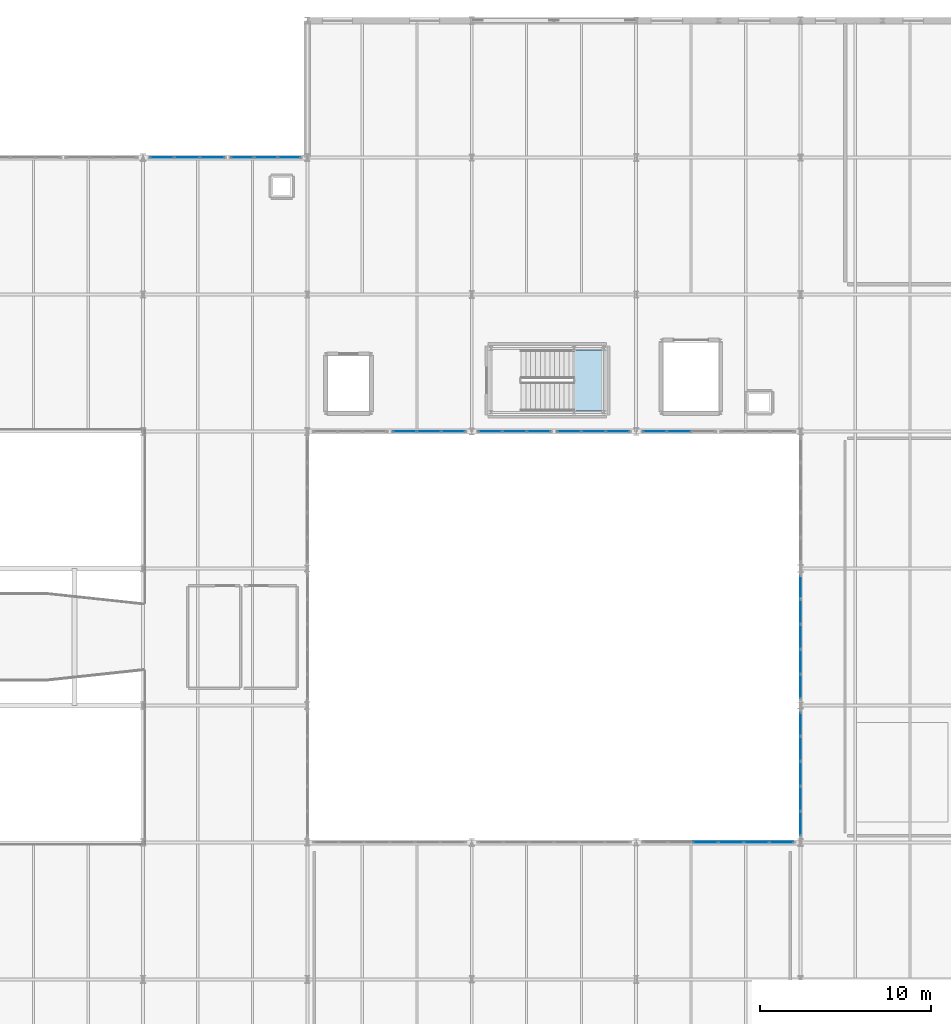
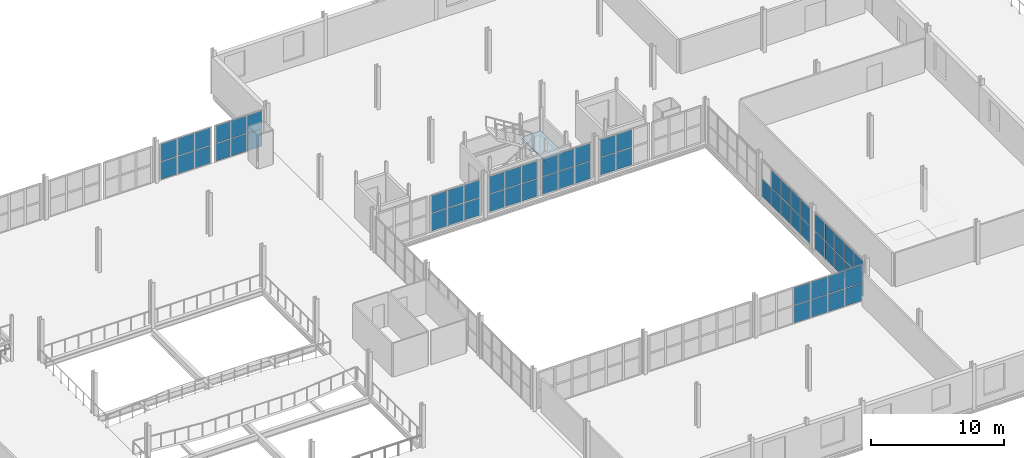
# One storey, part 62 of 85: 61 plates, 1 slab, 10 elements without a shape of their own.
"""IFC4 building model written with IfcOpenShell, lengths in metres."""

from ifc_helpers import new_model, si_unit, direction, frame, origin, origin_2d, place, context, subcontext, project, spatial, polyline, rectangle, outline, extrude, material, layer, layer_set, type_object, element, aggregate, save


model = new_model("IFC4")

# Units and contexts
model_context = context("Model", 3, precision=1e-05, world=origin(), true_north=direction((0.0, 1.0)))
body_context = subcontext(model_context, "Body", "Model", "MODEL_VIEW")
ifc_project = project(units=[si_unit("LENGTHUNIT", "METRE"), si_unit("AREAUNIT", "SQUARE_METRE"), si_unit("VOLUMEUNIT", "CUBIC_METRE"), si_unit("PLANEANGLEUNIT", "RADIAN"), si_unit("MASSUNIT", "GRAM", prefix="KILO")], contexts=[model_context])

# Site, building, storey
site_placement = place(None, origin())
site = spatial("IfcSite", under=ifc_project, at=site_placement, CompositionType="ELEMENT")
building_placement = place(site_placement, origin())
building = spatial("IfcBuilding", under=site, at=building_placement, Name="Alderhovde Museum", CompositionType="ELEMENT")
storey_placement = place(building_placement, frame((0.0, 0.0, 8.699951171875)))
storey = spatial("IfcBuildingStorey", under=building, at=storey_placement, Name="L02", CompositionType="ELEMENT", Elevation=8.699951171875)

# Curtain wall, plates
ifc_material_1 = material(Name="Triple-Glazed Bronze-Anodised Curtain Wall", Category="glass")
ifc_layer_1 = layer(ifc_material_1, 0.179931640625)
ifc_layer_set_1 = layer_set([ifc_layer_1], Name="Triple-Glazed Bronze-Anodised Curtain Wall")
curtain_wall_type_1 = type_object("IfcCurtainWallType", Name="CW-STIC-430x336", PredefinedType="USERDEFINED", material=ifc_layer_set_1)
curtain_wall_1_placement = place(storey_placement, origin())
curtain_wall_1 = element("IfcCurtainWall", 1, at=curtain_wall_1_placement, inside=storey, type_object=curtain_wall_type_1, Name="L02 Stick Curtain Wall 156", ObjectType="STICK CURTAIN WALL", PredefinedType="USERDEFINED")
ifc_material_2 = material(Name="Triple-Glazed Low-E Laminated Glass", Category="glass")
ifc_layer_2 = layer(ifc_material_2, 0.028076171875)
ifc_layer_set_2 = layer_set([ifc_layer_2], Name="Triple-Glazed Low-E Laminated Glass")
plate_type_1 = type_object("IfcPlateType", Name="CWP-GLAZ-28", PredefinedType="CURTAIN_PANEL", material=ifc_layer_set_2)
plate_1_placement = place(storey_placement, frame((120.8828125, 72.0, 0.06494140625), z_axis=(0.0, 0.0, 1.0), x_axis=(1.0, 0.0, 0.0)))
plate_1 = element("IfcPlate", 2, at=plate_1_placement, type_object=plate_type_1, Name="CW37 panel 1.1", PredefinedType="CURTAIN_PANEL", context=body_context, shape_type="SweptSolid", body=[
    extrude(rectangle(XDim=1.3359375, YDim=0.028076171875, at=origin_2d()), origin(), (0.0, 0.0, 1.0), 1.58251953125),
])
plate_2_placement = place(storey_placement, frame((120.8828125, 72.0, 1.712646484375), z_axis=(0.0, 0.0, 1.0), x_axis=(1.0, 0.0, 0.0)))
plate_2 = element("IfcPlate", 3, at=plate_2_placement, type_object=plate_type_1, Name="CW37 panel 1.2", PredefinedType="CURTAIN_PANEL", context=body_context, shape_type="SweptSolid", body=[
    extrude(rectangle(XDim=1.3359375, YDim=0.028076171875, at=origin_2d()), origin(), (0.0, 0.0, 1.0), 1.58251953125),
])
plate_3_placement = place(storey_placement, frame((122.300048828125, 72.0, 0.06494140625), z_axis=(0.0, 0.0, 1.0), x_axis=(1.0, 0.0, 0.0)))
plate_3 = element("IfcPlate", 4, at=plate_3_placement, type_object=plate_type_1, Name="CW37 panel 2.1", PredefinedType="CURTAIN_PANEL", context=body_context, shape_type="SweptSolid", body=[
    extrude(rectangle(XDim=1.368408203125, YDim=0.028076171875, at=origin_2d()), origin(), (0.0, 0.0, 1.0), 1.58251953125),
])
plate_4_placement = place(storey_placement, frame((122.300048828125, 72.0, 1.712646484375), z_axis=(0.0, 0.0, 1.0), x_axis=(1.0, 0.0, 0.0)))
plate_4 = element("IfcPlate", 5, at=plate_4_placement, type_object=plate_type_1, Name="CW37 panel 2.2", PredefinedType="CURTAIN_PANEL", context=body_context, shape_type="SweptSolid", body=[
    extrude(rectangle(XDim=1.368408203125, YDim=0.028076171875, at=origin_2d()), origin(), (0.0, 0.0, 1.0), 1.58251953125),
])
plate_5_placement = place(storey_placement, frame((123.717041015625, 72.0, 0.06494140625), z_axis=(0.0, 0.0, 1.0), x_axis=(1.0, 0.0, 0.0)))
plate_5 = element("IfcPlate", 6, at=plate_5_placement, type_object=plate_type_1, Name="CW37 panel 3.1", PredefinedType="CURTAIN_PANEL", context=body_context, shape_type="SweptSolid", body=[
    extrude(rectangle(XDim=1.3359375, YDim=0.028076171875, at=origin_2d()), origin(), (0.0, 0.0, 1.0), 1.58251953125),
])
plate_6_placement = place(storey_placement, frame((123.717041015625, 72.0, 1.712646484375), z_axis=(0.0, 0.0, 1.0), x_axis=(1.0, 0.0, 0.0)))
plate_6 = element("IfcPlate", 7, at=plate_6_placement, type_object=plate_type_1, Name="CW37 panel 3.2", PredefinedType="CURTAIN_PANEL", context=body_context, shape_type="SweptSolid", body=[
    extrude(rectangle(XDim=1.3359375, YDim=0.028076171875, at=origin_2d()), origin(), (0.0, 0.0, 1.0), 1.58251953125),
])
aggregate(curtain_wall_1, [plate_1, plate_2, plate_3, plate_4, plate_5, plate_6])

ifc_material_3 = material(Name="Triple-Glazed Bronze-Anodised Curtain Wall", Category="glass")
ifc_layer_3 = layer(ifc_material_3, 0.179931640625)
ifc_layer_set_3 = layer_set([ifc_layer_3], Name="Triple-Glazed Bronze-Anodised Curtain Wall")
curtain_wall_type_2 = type_object("IfcCurtainWallType", Name="CW-STIC-730x336", PredefinedType="USERDEFINED", material=ifc_layer_set_3)
curtain_wall_2_placement = place(storey_placement, origin())
curtain_wall_2 = element("IfcCurtainWall", 8, at=curtain_wall_2_placement, inside=storey, type_object=curtain_wall_type_2, Name="L02 Stick Curtain Wall 164", ObjectType="STICK CURTAIN WALL", PredefinedType="USERDEFINED")
plate_7_placement = place(storey_placement, frame((144.0, 49.09619140625, 0.06494140625), z_axis=(0.0, 0.0, 1.0), x_axis=(0.0, 1.0, 0.0)))
plate_7 = element("IfcPlate", 9, at=plate_7_placement, type_object=plate_type_1, Name="CW12 panel 1.1", PredefinedType="CURTAIN_PANEL", context=body_context, shape_type="SweptSolid", body=[
    extrude(rectangle(XDim=1.362548828125, YDim=0.028076171875, at=origin_2d()), origin(), (0.0, 0.0, 1.0), 1.58251953125),
])
plate_8_placement = place(storey_placement, frame((144.0, 49.09619140625, 1.712646484375), z_axis=(0.0, 0.0, 1.0), x_axis=(0.0, 1.0, 0.0)))
plate_8 = element("IfcPlate", 10, at=plate_8_placement, type_object=plate_type_1, Name="CW12 panel 1.2", PredefinedType="CURTAIN_PANEL", context=body_context, shape_type="SweptSolid", body=[
    extrude(rectangle(XDim=1.362548828125, YDim=0.028076171875, at=origin_2d()), origin(), (0.0, 0.0, 1.0), 1.58251953125),
])
plate_9_placement = place(storey_placement, frame((144.0, 50.5400390625, 0.06494140625), z_axis=(0.0, 0.0, 1.0), x_axis=(0.0, 1.0, 0.0)))
plate_9 = element("IfcPlate", 11, at=plate_9_placement, type_object=plate_type_1, Name="CW12 panel 2.1", PredefinedType="CURTAIN_PANEL", context=body_context, shape_type="SweptSolid", body=[
    extrude(rectangle(XDim=1.39501953125, YDim=0.028076171875, at=origin_2d()), origin(), (0.0, 0.0, 1.0), 1.58251953125),
])
plate_10_placement = place(storey_placement, frame((144.0, 50.5400390625, 1.712646484375), z_axis=(0.0, 0.0, 1.0), x_axis=(0.0, 1.0, 0.0)))
plate_10 = element("IfcPlate", 12, at=plate_10_placement, type_object=plate_type_1, Name="CW12 panel 2.2", PredefinedType="CURTAIN_PANEL", context=body_context, shape_type="SweptSolid", body=[
    extrude(rectangle(XDim=1.39501953125, YDim=0.028076171875, at=origin_2d()), origin(), (0.0, 0.0, 1.0), 1.58251953125),
])
plate_11_placement = place(storey_placement, frame((144.0, 52.0, 0.06494140625), z_axis=(0.0, 0.0, 1.0), x_axis=(0.0, 1.0, 0.0)))
plate_11 = element("IfcPlate", 13, at=plate_11_placement, type_object=plate_type_1, Name="CW12 panel 3.1", PredefinedType="CURTAIN_PANEL", context=body_context, shape_type="SweptSolid", body=[
    extrude(rectangle(XDim=1.39501953125, YDim=0.028076171875, at=origin_2d()), origin(), (0.0, 0.0, 1.0), 1.58251953125),
])
plate_12_placement = place(storey_placement, frame((144.0, 52.0, 1.712646484375), z_axis=(0.0, 0.0, 1.0), x_axis=(0.0, 1.0, 0.0)))
plate_12 = element("IfcPlate", 14, at=plate_12_placement, type_object=plate_type_1, Name="CW12 panel 3.2", PredefinedType="CURTAIN_PANEL", context=body_context, shape_type="SweptSolid", body=[
    extrude(rectangle(XDim=1.39501953125, YDim=0.028076171875, at=origin_2d()), origin(), (0.0, 0.0, 1.0), 1.58251953125),
])
plate_13_placement = place(storey_placement, frame((144.0, 53.4599609375, 0.06494140625), z_axis=(0.0, 0.0, 1.0), x_axis=(0.0, 1.0, 0.0)))
plate_13 = element("IfcPlate", 15, at=plate_13_placement, type_object=plate_type_1, Name="CW12 panel 4.1", PredefinedType="CURTAIN_PANEL", context=body_context, shape_type="SweptSolid", body=[
    extrude(rectangle(XDim=1.39501953125, YDim=0.028076171875, at=origin_2d()), origin(), (0.0, 0.0, 1.0), 1.58251953125),
])
plate_14_placement = place(storey_placement, frame((144.0, 53.4599609375, 1.712646484375), z_axis=(0.0, 0.0, 1.0), x_axis=(0.0, 1.0, 0.0)))
plate_14 = element("IfcPlate", 16, at=plate_14_placement, type_object=plate_type_1, Name="CW12 panel 4.2", PredefinedType="CURTAIN_PANEL", context=body_context, shape_type="SweptSolid", body=[
    extrude(rectangle(XDim=1.39501953125, YDim=0.028076171875, at=origin_2d()), origin(), (0.0, 0.0, 1.0), 1.58251953125),
])
plate_15_placement = place(storey_placement, frame((144.0, 54.90380859375, 0.06494140625), z_axis=(0.0, 0.0, 1.0), x_axis=(0.0, 1.0, 0.0)))
plate_15 = element("IfcPlate", 17, at=plate_15_placement, type_object=plate_type_1, Name="CW12 panel 5.1", PredefinedType="CURTAIN_PANEL", context=body_context, shape_type="SweptSolid", body=[
    extrude(rectangle(XDim=1.362548828125, YDim=0.028076171875, at=origin_2d()), origin(), (0.0, 0.0, 1.0), 1.58251953125),
])
plate_16_placement = place(storey_placement, frame((144.0, 54.90380859375, 1.712646484375), z_axis=(0.0, 0.0, 1.0), x_axis=(0.0, 1.0, 0.0)))
plate_16 = element("IfcPlate", 18, at=plate_16_placement, type_object=plate_type_1, Name="CW12 panel 5.2", PredefinedType="CURTAIN_PANEL", context=body_context, shape_type="SweptSolid", body=[
    extrude(rectangle(XDim=1.362548828125, YDim=0.028076171875, at=origin_2d()), origin(), (0.0, 0.0, 1.0), 1.58251953125),
])
aggregate(curtain_wall_2, [plate_7, plate_8, plate_9, plate_10, plate_11, plate_12, plate_13, plate_14, plate_15, plate_16])

ifc_material_4 = material(Name="Triple-Glazed Bronze-Anodised Curtain Wall", Category="glass")
ifc_layer_4 = layer(ifc_material_4, 0.179931640625)
ifc_layer_set_4 = layer_set([ifc_layer_4], Name="Triple-Glazed Bronze-Anodised Curtain Wall")
curtain_wall_type_3 = type_object("IfcCurtainWallType", Name="CW-UNIT-445x336", PredefinedType="USERDEFINED", material=ifc_layer_set_4)
curtain_wall_3_placement = place(storey_placement, origin())
curtain_wall_3 = element("IfcCurtainWall", 19, at=curtain_wall_3_placement, inside=storey, type_object=curtain_wall_type_3, Name="L02 Unitised Curtain Wall 33", ObjectType="UNITISED CURTAIN WALL", PredefinedType="USERDEFINED")
ifc_material_5 = material(Name="Triple-Glazed Low-E Laminated Glass", Category="glass")
ifc_layer_5 = layer(ifc_material_5, 0.035888671875)
ifc_layer_set_5 = layer_set([ifc_layer_5], Name="Triple-Glazed Low-E Laminated Glass")
plate_type_2 = type_object("IfcPlateType", Name="CWP-GLAZ-36", PredefinedType="CURTAIN_PANEL", material=ifc_layer_set_5)
plate_17_placement = place(storey_placement, frame((106.7080078125, 88.0, 0.06494140625), z_axis=(0.0, 0.0, 1.0), x_axis=(1.0, 0.0, 0.0)))
plate_17 = element("IfcPlate", 20, at=plate_17_placement, type_object=plate_type_2, Name="CW10 panel 1.1", PredefinedType="CURTAIN_PANEL", context=body_context, shape_type="SweptSolid", body=[
    extrude(rectangle(XDim=1.3857421875, YDim=0.035888671875, at=origin_2d()), origin(), (0.0, 0.0, 1.0), 1.58251953125),
])
plate_18_placement = place(storey_placement, frame((106.7080078125, 88.0, 1.712646484375), z_axis=(0.0, 0.0, 1.0), x_axis=(1.0, 0.0, 0.0)))
plate_18 = element("IfcPlate", 21, at=plate_18_placement, type_object=plate_type_2, Name="CW10 panel 1.2", PredefinedType="CURTAIN_PANEL", context=body_context, shape_type="SweptSolid", body=[
    extrude(rectangle(XDim=1.3857421875, YDim=0.035888671875, at=origin_2d()), origin(), (0.0, 0.0, 1.0), 1.58251953125),
])
plate_19_placement = place(storey_placement, frame((108.175048828125, 88.0, 0.06494140625), z_axis=(0.0, 0.0, 1.0), x_axis=(1.0, 0.0, 0.0)))
plate_19 = element("IfcPlate", 22, at=plate_19_placement, type_object=plate_type_2, Name="CW10 panel 2.1", PredefinedType="CURTAIN_PANEL", context=body_context, shape_type="SweptSolid", body=[
    extrude(rectangle(XDim=1.418212890625, YDim=0.035888671875, at=origin_2d()), origin(), (0.0, 0.0, 1.0), 1.58251953125),
])
plate_20_placement = place(storey_placement, frame((108.175048828125, 88.0, 1.712646484375), z_axis=(0.0, 0.0, 1.0), x_axis=(1.0, 0.0, 0.0)))
plate_20 = element("IfcPlate", 23, at=plate_20_placement, type_object=plate_type_2, Name="CW10 panel 2.2", PredefinedType="CURTAIN_PANEL", context=body_context, shape_type="SweptSolid", body=[
    extrude(rectangle(XDim=1.418212890625, YDim=0.035888671875, at=origin_2d()), origin(), (0.0, 0.0, 1.0), 1.58251953125),
])
plate_21_placement = place(storey_placement, frame((109.64208984375, 88.0, 0.06494140625), z_axis=(0.0, 0.0, 1.0), x_axis=(1.0, 0.0, 0.0)))
plate_21 = element("IfcPlate", 24, at=plate_21_placement, type_object=plate_type_2, Name="CW10 panel 3.1", PredefinedType="CURTAIN_PANEL", context=body_context, shape_type="SweptSolid", body=[
    extrude(rectangle(XDim=1.3857421875, YDim=0.035888671875, at=origin_2d()), origin(), (0.0, 0.0, 1.0), 1.58251953125),
])
plate_22_placement = place(storey_placement, frame((109.64208984375, 88.0, 1.712646484375), z_axis=(0.0, 0.0, 1.0), x_axis=(1.0, 0.0, 0.0)))
plate_22 = element("IfcPlate", 25, at=plate_22_placement, type_object=plate_type_2, Name="CW10 panel 3.2", PredefinedType="CURTAIN_PANEL", context=body_context, shape_type="SweptSolid", body=[
    extrude(rectangle(XDim=1.3857421875, YDim=0.035888671875, at=origin_2d()), origin(), (0.0, 0.0, 1.0), 1.58251953125),
])
aggregate(curtain_wall_3, [plate_17, plate_18, plate_19, plate_20, plate_21, plate_22])

curtain_wall_4_placement = place(storey_placement, origin())
curtain_wall_4 = element("IfcCurtainWall", 26, at=curtain_wall_4_placement, inside=storey, type_object=curtain_wall_type_1, Name="L02 Stick Curtain Wall 161", ObjectType="STICK CURTAIN WALL", PredefinedType="USERDEFINED")
plate_23_placement = place(storey_placement, frame((135.48291015625, 72.0, 0.06494140625), z_axis=(0.0, 0.0, 1.0), x_axis=(1.0, 0.0, 0.0)))
plate_23 = element("IfcPlate", 27, at=plate_23_placement, type_object=plate_type_2, Name="CW37 panel 1.1", PredefinedType="CURTAIN_PANEL", context=body_context, shape_type="SweptSolid", body=[
    extrude(rectangle(XDim=1.3359375, YDim=0.035888671875, at=origin_2d()), origin(), (0.0, 0.0, 1.0), 1.58251953125),
])
plate_24_placement = place(storey_placement, frame((135.48291015625, 72.0, 1.712646484375), z_axis=(0.0, 0.0, 1.0), x_axis=(1.0, 0.0, 0.0)))
plate_24 = element("IfcPlate", 28, at=plate_24_placement, type_object=plate_type_2, Name="CW37 panel 1.2", PredefinedType="CURTAIN_PANEL", context=body_context, shape_type="SweptSolid", body=[
    extrude(rectangle(XDim=1.3359375, YDim=0.035888671875, at=origin_2d()), origin(), (0.0, 0.0, 1.0), 1.58251953125),
])
plate_25_placement = place(storey_placement, frame((136.89990234375, 72.0, 0.06494140625), z_axis=(0.0, 0.0, 1.0), x_axis=(1.0, 0.0, 0.0)))
plate_25 = element("IfcPlate", 29, at=plate_25_placement, type_object=plate_type_2, Name="CW37 panel 2.1", PredefinedType="CURTAIN_PANEL", context=body_context, shape_type="SweptSolid", body=[
    extrude(rectangle(XDim=1.368408203125, YDim=0.035888671875, at=origin_2d()), origin(), (0.0, 0.0, 1.0), 1.58251953125),
])
plate_26_placement = place(storey_placement, frame((136.89990234375, 72.0, 1.712646484375), z_axis=(0.0, 0.0, 1.0), x_axis=(1.0, 0.0, 0.0)))
plate_26 = element("IfcPlate", 30, at=plate_26_placement, type_object=plate_type_2, Name="CW37 panel 2.2", PredefinedType="CURTAIN_PANEL", context=body_context, shape_type="SweptSolid", body=[
    extrude(rectangle(XDim=1.368408203125, YDim=0.035888671875, at=origin_2d()), origin(), (0.0, 0.0, 1.0), 1.58251953125),
])
aggregate(curtain_wall_4, [plate_23, plate_24, plate_25, plate_26])

curtain_wall_5_placement = place(storey_placement, origin())
curtain_wall_5 = element("IfcCurtainWall", 31, at=curtain_wall_5_placement, inside=storey, type_object=curtain_wall_type_2, Name="L02 Stick Curtain Wall 165", ObjectType="STICK CURTAIN WALL", PredefinedType="USERDEFINED")
plate_27_placement = place(storey_placement, frame((144.0, 57.09619140625, 0.06494140625), z_axis=(0.0, 0.0, 1.0), x_axis=(0.0, 1.0, 0.0)))
plate_27 = element("IfcPlate", 32, at=plate_27_placement, type_object=plate_type_2, Name="CW12 panel 1.1", PredefinedType="CURTAIN_PANEL", context=body_context, shape_type="SweptSolid", body=[
    extrude(rectangle(XDim=1.362548828125, YDim=0.035888671875, at=origin_2d()), origin(), (0.0, 0.0, 1.0), 1.58251953125),
])
plate_28_placement = place(storey_placement, frame((144.0, 57.09619140625, 1.712646484375), z_axis=(0.0, 0.0, 1.0), x_axis=(0.0, 1.0, 0.0)))
plate_28 = element("IfcPlate", 33, at=plate_28_placement, type_object=plate_type_2, Name="CW12 panel 1.2", PredefinedType="CURTAIN_PANEL", context=body_context, shape_type="SweptSolid", body=[
    extrude(rectangle(XDim=1.362548828125, YDim=0.035888671875, at=origin_2d()), origin(), (0.0, 0.0, 1.0), 1.58251953125),
])
plate_29_placement = place(storey_placement, frame((144.0, 58.5400390625, 0.06494140625), z_axis=(0.0, 0.0, 1.0), x_axis=(0.0, 1.0, 0.0)))
plate_29 = element("IfcPlate", 34, at=plate_29_placement, type_object=plate_type_2, Name="CW12 panel 2.1", PredefinedType="CURTAIN_PANEL", context=body_context, shape_type="SweptSolid", body=[
    extrude(rectangle(XDim=1.39501953125, YDim=0.035888671875, at=origin_2d()), origin(), (0.0, 0.0, 1.0), 1.58251953125),
])
plate_30_placement = place(storey_placement, frame((144.0, 58.5400390625, 1.712646484375), z_axis=(0.0, 0.0, 1.0), x_axis=(0.0, 1.0, 0.0)))
plate_30 = element("IfcPlate", 35, at=plate_30_placement, type_object=plate_type_2, Name="CW12 panel 2.2", PredefinedType="CURTAIN_PANEL", context=body_context, shape_type="SweptSolid", body=[
    extrude(rectangle(XDim=1.39501953125, YDim=0.035888671875, at=origin_2d()), origin(), (0.0, 0.0, 1.0), 1.58251953125),
])
plate_31_placement = place(storey_placement, frame((144.0, 60.0, 0.06494140625), z_axis=(0.0, 0.0, 1.0), x_axis=(0.0, 1.0, 0.0)))
plate_31 = element("IfcPlate", 36, at=plate_31_placement, type_object=plate_type_2, Name="CW12 panel 3.1", PredefinedType="CURTAIN_PANEL", context=body_context, shape_type="SweptSolid", body=[
    extrude(rectangle(XDim=1.39501953125, YDim=0.035888671875, at=origin_2d()), origin(), (0.0, 0.0, 1.0), 1.58251953125),
])
plate_32_placement = place(storey_placement, frame((144.0, 60.0, 1.712646484375), z_axis=(0.0, 0.0, 1.0), x_axis=(0.0, 1.0, 0.0)))
plate_32 = element("IfcPlate", 37, at=plate_32_placement, type_object=plate_type_2, Name="CW12 panel 3.2", PredefinedType="CURTAIN_PANEL", context=body_context, shape_type="SweptSolid", body=[
    extrude(rectangle(XDim=1.39501953125, YDim=0.035888671875, at=origin_2d()), origin(), (0.0, 0.0, 1.0), 1.58251953125),
])
plate_33_placement = place(storey_placement, frame((144.0, 61.4599609375, 0.06494140625), z_axis=(0.0, 0.0, 1.0), x_axis=(0.0, 1.0, 0.0)))
plate_33 = element("IfcPlate", 38, at=plate_33_placement, type_object=plate_type_2, Name="CW12 panel 4.1", PredefinedType="CURTAIN_PANEL", context=body_context, shape_type="SweptSolid", body=[
    extrude(rectangle(XDim=1.39501953125, YDim=0.035888671875, at=origin_2d()), origin(), (0.0, 0.0, 1.0), 1.58251953125),
])
plate_34_placement = place(storey_placement, frame((144.0, 61.4599609375, 1.712646484375), z_axis=(0.0, 0.0, 1.0), x_axis=(0.0, 1.0, 0.0)))
plate_34 = element("IfcPlate", 39, at=plate_34_placement, type_object=plate_type_2, Name="CW12 panel 4.2", PredefinedType="CURTAIN_PANEL", context=body_context, shape_type="SweptSolid", body=[
    extrude(rectangle(XDim=1.39501953125, YDim=0.035888671875, at=origin_2d()), origin(), (0.0, 0.0, 1.0), 1.58251953125),
])
plate_35_placement = place(storey_placement, frame((144.0, 62.90380859375, 0.06494140625), z_axis=(0.0, 0.0, 1.0), x_axis=(0.0, 1.0, 0.0)))
plate_35 = element("IfcPlate", 40, at=plate_35_placement, type_object=plate_type_2, Name="CW12 panel 5.1", PredefinedType="CURTAIN_PANEL", context=body_context, shape_type="SweptSolid", body=[
    extrude(rectangle(XDim=1.362548828125, YDim=0.035888671875, at=origin_2d()), origin(), (0.0, 0.0, 1.0), 1.58251953125),
])
aggregate(curtain_wall_5, [plate_27, plate_28, plate_29, plate_30, plate_31, plate_32, plate_33, plate_34, plate_35])

ifc_material_6 = material(Name="Triple-Glazed Bronze-Anodised Curtain Wall", Category="glass")
ifc_layer_6 = layer(ifc_material_6, 0.179931640625)
ifc_layer_set_6 = layer_set([ifc_layer_6], Name="Triple-Glazed Bronze-Anodised Curtain Wall")
curtain_wall_type_4 = type_object("IfcCurtainWallType", Name="CW-UNIT-415x336", PredefinedType="USERDEFINED", material=ifc_layer_set_6)
curtain_wall_6_placement = place(storey_placement, origin())
curtain_wall_6 = element("IfcCurtainWall", 41, at=curtain_wall_6_placement, inside=storey, type_object=curtain_wall_type_4, Name="L02 Unitised Curtain Wall 34", ObjectType="UNITISED CURTAIN WALL", PredefinedType="USERDEFINED")
ifc_material_7 = material(Name="Triple-Glazed Low-E Laminated Glass", Category="glass")
ifc_layer_7 = layer(ifc_material_7, 0.0439453125)
ifc_layer_set_7 = layer_set([ifc_layer_7], Name="Triple-Glazed Low-E Laminated Glass")
plate_type_3 = type_object("IfcPlateType", Name="CWP-GLAZ-44", PredefinedType="CURTAIN_PANEL", material=ifc_layer_set_7)
plate_36_placement = place(storey_placement, frame((111.407958984375, 88.0, 0.06494140625), z_axis=(0.0, 0.0, 1.0), x_axis=(1.0, 0.0, 0.0)))
plate_36 = element("IfcPlate", 42, at=plate_36_placement, type_object=plate_type_3, Name="CW11 panel 1.1", PredefinedType="CURTAIN_PANEL", context=body_context, shape_type="SweptSolid", body=[
    extrude(rectangle(XDim=1.285888671875, YDim=0.0439453125, at=origin_2d()), origin(), (0.0, 0.0, 1.0), 1.58251953125),
])
plate_37_placement = place(storey_placement, frame((111.407958984375, 88.0, 1.712646484375), z_axis=(0.0, 0.0, 1.0), x_axis=(1.0, 0.0, 0.0)))
plate_37 = element("IfcPlate", 43, at=plate_37_placement, type_object=plate_type_3, Name="CW11 panel 1.2", PredefinedType="CURTAIN_PANEL", context=body_context, shape_type="SweptSolid", body=[
    extrude(rectangle(XDim=1.285888671875, YDim=0.0439453125, at=origin_2d()), origin(), (0.0, 0.0, 1.0), 1.58251953125),
])
plate_38_placement = place(storey_placement, frame((112.77490234375, 88.0, 0.06494140625), z_axis=(0.0, 0.0, 1.0), x_axis=(1.0, 0.0, 0.0)))
plate_38 = element("IfcPlate", 44, at=plate_38_placement, type_object=plate_type_3, Name="CW11 panel 2.1", PredefinedType="CURTAIN_PANEL", context=body_context, shape_type="SweptSolid", body=[
    extrude(rectangle(XDim=1.318359375, YDim=0.0439453125, at=origin_2d()), origin(), (0.0, 0.0, 1.0), 1.58251953125),
])
plate_39_placement = place(storey_placement, frame((112.77490234375, 88.0, 1.712646484375), z_axis=(0.0, 0.0, 1.0), x_axis=(1.0, 0.0, 0.0)))
plate_39 = element("IfcPlate", 45, at=plate_39_placement, type_object=plate_type_3, Name="CW11 panel 2.2", PredefinedType="CURTAIN_PANEL", context=body_context, shape_type="SweptSolid", body=[
    extrude(rectangle(XDim=1.318359375, YDim=0.0439453125, at=origin_2d()), origin(), (0.0, 0.0, 1.0), 1.58251953125),
])
plate_40_placement = place(storey_placement, frame((114.14208984375, 88.0, 0.06494140625), z_axis=(0.0, 0.0, 1.0), x_axis=(1.0, 0.0, 0.0)))
plate_40 = element("IfcPlate", 46, at=plate_40_placement, type_object=plate_type_3, Name="CW11 panel 3.1", PredefinedType="CURTAIN_PANEL", context=body_context, shape_type="SweptSolid", body=[
    extrude(rectangle(XDim=1.285888671875, YDim=0.0439453125, at=origin_2d()), origin(), (0.0, 0.0, 1.0), 1.58251953125),
])
plate_41_placement = place(storey_placement, frame((114.14208984375, 88.0, 1.712646484375), z_axis=(0.0, 0.0, 1.0), x_axis=(1.0, 0.0, 0.0)))
plate_41 = element("IfcPlate", 47, at=plate_41_placement, type_object=plate_type_3, Name="CW11 panel 3.2", PredefinedType="CURTAIN_PANEL", context=body_context, shape_type="SweptSolid", body=[
    extrude(rectangle(XDim=1.285888671875, YDim=0.0439453125, at=origin_2d()), origin(), (0.0, 0.0, 1.0), 1.58251953125),
])
aggregate(curtain_wall_6, [plate_36, plate_37, plate_38, plate_39, plate_40, plate_41])

curtain_wall_7_placement = place(storey_placement, origin())
curtain_wall_7 = element("IfcCurtainWall", 48, at=curtain_wall_7_placement, inside=storey, type_object=curtain_wall_type_1, Name="L02 Stick Curtain Wall 158", ObjectType="STICK CURTAIN WALL", PredefinedType="USERDEFINED")
plate_42_placement = place(storey_placement, frame((125.8828125, 72.0, 0.06494140625), z_axis=(0.0, 0.0, 1.0), x_axis=(1.0, 0.0, 0.0)))
plate_42 = element("IfcPlate", 49, at=plate_42_placement, type_object=plate_type_3, Name="CW37 panel 1.1", PredefinedType="CURTAIN_PANEL", context=body_context, shape_type="SweptSolid", body=[
    extrude(rectangle(XDim=1.3359375, YDim=0.0439453125, at=origin_2d()), origin(), (0.0, 0.0, 1.0), 1.58251953125),
])
plate_43_placement = place(storey_placement, frame((125.8828125, 72.0, 1.712646484375), z_axis=(0.0, 0.0, 1.0), x_axis=(1.0, 0.0, 0.0)))
plate_43 = element("IfcPlate", 50, at=plate_43_placement, type_object=plate_type_3, Name="CW37 panel 1.2", PredefinedType="CURTAIN_PANEL", context=body_context, shape_type="SweptSolid", body=[
    extrude(rectangle(XDim=1.3359375, YDim=0.0439453125, at=origin_2d()), origin(), (0.0, 0.0, 1.0), 1.58251953125),
])
plate_44_placement = place(storey_placement, frame((127.300048828125, 72.0, 0.06494140625), z_axis=(0.0, 0.0, 1.0), x_axis=(1.0, 0.0, 0.0)))
plate_44 = element("IfcPlate", 51, at=plate_44_placement, type_object=plate_type_3, Name="CW37 panel 2.1", PredefinedType="CURTAIN_PANEL", context=body_context, shape_type="SweptSolid", body=[
    extrude(rectangle(XDim=1.368408203125, YDim=0.0439453125, at=origin_2d()), origin(), (0.0, 0.0, 1.0), 1.58251953125),
])
plate_45_placement = place(storey_placement, frame((127.300048828125, 72.0, 1.712646484375), z_axis=(0.0, 0.0, 1.0), x_axis=(1.0, 0.0, 0.0)))
plate_45 = element("IfcPlate", 52, at=plate_45_placement, type_object=plate_type_3, Name="CW37 panel 2.2", PredefinedType="CURTAIN_PANEL", context=body_context, shape_type="SweptSolid", body=[
    extrude(rectangle(XDim=1.368408203125, YDim=0.0439453125, at=origin_2d()), origin(), (0.0, 0.0, 1.0), 1.58251953125),
])
plate_46_placement = place(storey_placement, frame((128.717041015625, 72.0, 0.06494140625), z_axis=(0.0, 0.0, 1.0), x_axis=(1.0, 0.0, 0.0)))
plate_46 = element("IfcPlate", 53, at=plate_46_placement, type_object=plate_type_3, Name="CW37 panel 3.1", PredefinedType="CURTAIN_PANEL", context=body_context, shape_type="SweptSolid", body=[
    extrude(rectangle(XDim=1.3359375, YDim=0.0439453125, at=origin_2d()), origin(), (0.0, 0.0, 1.0), 1.58251953125),
])
plate_47_placement = place(storey_placement, frame((128.717041015625, 72.0, 1.712646484375), z_axis=(0.0, 0.0, 1.0), x_axis=(1.0, 0.0, 0.0)))
plate_47 = element("IfcPlate", 54, at=plate_47_placement, type_object=plate_type_3, Name="CW37 panel 3.2", PredefinedType="CURTAIN_PANEL", context=body_context, shape_type="SweptSolid", body=[
    extrude(rectangle(XDim=1.3359375, YDim=0.0439453125, at=origin_2d()), origin(), (0.0, 0.0, 1.0), 1.58251953125),
])
aggregate(curtain_wall_7, [plate_42, plate_43, plate_44, plate_45, plate_46, plate_47])

curtain_wall_8_placement = place(storey_placement, origin())
curtain_wall_8 = element("IfcCurtainWall", 55, at=curtain_wall_8_placement, inside=storey, type_object=curtain_wall_type_1, Name="L02 Stick Curtain Wall 159", ObjectType="STICK CURTAIN WALL", PredefinedType="USERDEFINED")
ifc_material_8 = material(Name="Triple-Glazed Low-E Laminated Glass", Category="glass")
ifc_layer_8 = layer(ifc_material_8, 0.052001953125)
ifc_layer_set_8 = layer_set([ifc_layer_8], Name="Triple-Glazed Low-E Laminated Glass")
plate_type_4 = type_object("IfcPlateType", Name="CWP-GLAZ-52", PredefinedType="CURTAIN_PANEL", material=ifc_layer_set_8)
plate_48_placement = place(storey_placement, frame((130.48291015625, 72.0, 0.06494140625), z_axis=(0.0, 0.0, 1.0), x_axis=(1.0, 0.0, 0.0)))
plate_48 = element("IfcPlate", 56, at=plate_48_placement, type_object=plate_type_4, Name="CW37 panel 1.1", PredefinedType="CURTAIN_PANEL", context=body_context, shape_type="SweptSolid", body=[
    extrude(rectangle(XDim=1.3359375, YDim=0.052001953125, at=origin_2d()), origin(), (0.0, 0.0, 1.0), 1.58251953125),
])
plate_49_placement = place(storey_placement, frame((130.48291015625, 72.0, 1.712646484375), z_axis=(0.0, 0.0, 1.0), x_axis=(1.0, 0.0, 0.0)))
plate_49 = element("IfcPlate", 57, at=plate_49_placement, type_object=plate_type_4, Name="CW37 panel 1.2", PredefinedType="CURTAIN_PANEL", context=body_context, shape_type="SweptSolid", body=[
    extrude(rectangle(XDim=1.3359375, YDim=0.052001953125, at=origin_2d()), origin(), (0.0, 0.0, 1.0), 1.58251953125),
])
plate_50_placement = place(storey_placement, frame((131.89990234375, 72.0, 0.06494140625), z_axis=(0.0, 0.0, 1.0), x_axis=(1.0, 0.0, 0.0)))
plate_50 = element("IfcPlate", 58, at=plate_50_placement, type_object=plate_type_4, Name="CW37 panel 2.1", PredefinedType="CURTAIN_PANEL", context=body_context, shape_type="SweptSolid", body=[
    extrude(rectangle(XDim=1.368408203125, YDim=0.052001953125, at=origin_2d()), origin(), (0.0, 0.0, 1.0), 1.58251953125),
])
plate_51_placement = place(storey_placement, frame((131.89990234375, 72.0, 1.712646484375), z_axis=(0.0, 0.0, 1.0), x_axis=(1.0, 0.0, 0.0)))
plate_51 = element("IfcPlate", 59, at=plate_51_placement, type_object=plate_type_4, Name="CW37 panel 2.2", PredefinedType="CURTAIN_PANEL", context=body_context, shape_type="SweptSolid", body=[
    extrude(rectangle(XDim=1.368408203125, YDim=0.052001953125, at=origin_2d()), origin(), (0.0, 0.0, 1.0), 1.58251953125),
])
plate_52_placement = place(storey_placement, frame((133.317138671875, 72.0, 0.06494140625), z_axis=(0.0, 0.0, 1.0), x_axis=(1.0, 0.0, 0.0)))
plate_52 = element("IfcPlate", 60, at=plate_52_placement, type_object=plate_type_4, Name="CW37 panel 3.1", PredefinedType="CURTAIN_PANEL", context=body_context, shape_type="SweptSolid", body=[
    extrude(rectangle(XDim=1.3359375, YDim=0.052001953125, at=origin_2d()), origin(), (0.0, 0.0, 1.0), 1.58251953125),
])
plate_53_placement = place(storey_placement, frame((133.317138671875, 72.0, 1.712646484375), z_axis=(0.0, 0.0, 1.0), x_axis=(1.0, 0.0, 0.0)))
plate_53 = element("IfcPlate", 61, at=plate_53_placement, type_object=plate_type_4, Name="CW37 panel 3.2", PredefinedType="CURTAIN_PANEL", context=body_context, shape_type="SweptSolid", body=[
    extrude(rectangle(XDim=1.3359375, YDim=0.052001953125, at=origin_2d()), origin(), (0.0, 0.0, 1.0), 1.58251953125),
])
aggregate(curtain_wall_8, [plate_48, plate_49, plate_50, plate_51, plate_52, plate_53])

ifc_material_9 = material(Name="Triple-Glazed Bronze-Anodised Curtain Wall", Category="glass")
ifc_layer_9 = layer(ifc_material_9, 0.179931640625)
ifc_layer_set_9 = layer_set([ifc_layer_9], Name="Triple-Glazed Bronze-Anodised Curtain Wall")
curtain_wall_type_5 = type_object("IfcCurtainWallType", Name="CW-STIC-890x336", PredefinedType="USERDEFINED", material=ifc_layer_set_9)
curtain_wall_9_placement = place(storey_placement, origin())
curtain_wall_9 = element("IfcCurtainWall", 62, at=curtain_wall_9_placement, inside=storey, type_object=curtain_wall_type_5, Name="L02 Stick Curtain Wall 163", ObjectType="STICK CURTAIN WALL", PredefinedType="USERDEFINED")
plate_54_placement = place(storey_placement, frame((138.458251953125, 48.0, 0.06494140625), z_axis=(0.0, 0.0, 1.0), x_axis=(1.0, 0.0, 0.0)))
plate_54 = element("IfcPlate", 63, at=plate_54_placement, type_object=plate_type_4, Name="CW38 panel 3.1", PredefinedType="CURTAIN_PANEL", context=body_context, shape_type="SweptSolid", body=[
    extrude(rectangle(XDim=1.418212890625, YDim=0.052001953125, at=origin_2d()), origin(), (0.0, 0.0, 1.0), 1.58251953125),
])
plate_55_placement = place(storey_placement, frame((138.458251953125, 48.0, 1.712646484375), z_axis=(0.0, 0.0, 1.0), x_axis=(1.0, 0.0, 0.0)))
plate_55 = element("IfcPlate", 64, at=plate_55_placement, type_object=plate_type_4, Name="CW38 panel 3.2", PredefinedType="CURTAIN_PANEL", context=body_context, shape_type="SweptSolid", body=[
    extrude(rectangle(XDim=1.418212890625, YDim=0.052001953125, at=origin_2d()), origin(), (0.0, 0.0, 1.0), 1.58251953125),
])
plate_56_placement = place(storey_placement, frame((139.941650390625, 48.0, 0.06494140625), z_axis=(0.0, 0.0, 1.0), x_axis=(1.0, 0.0, 0.0)))
plate_56 = element("IfcPlate", 65, at=plate_56_placement, type_object=plate_type_4, Name="CW38 panel 4.1", PredefinedType="CURTAIN_PANEL", context=body_context, shape_type="SweptSolid", body=[
    extrude(rectangle(XDim=1.418212890625, YDim=0.052001953125, at=origin_2d()), origin(), (0.0, 0.0, 1.0), 1.58251953125),
])
plate_57_placement = place(storey_placement, frame((139.941650390625, 48.0, 1.712646484375), z_axis=(0.0, 0.0, 1.0), x_axis=(1.0, 0.0, 0.0)))
plate_57 = element("IfcPlate", 66, at=plate_57_placement, type_object=plate_type_4, Name="CW38 panel 4.2", PredefinedType="CURTAIN_PANEL", context=body_context, shape_type="SweptSolid", body=[
    extrude(rectangle(XDim=1.418212890625, YDim=0.052001953125, at=origin_2d()), origin(), (0.0, 0.0, 1.0), 1.58251953125),
])
plate_58_placement = place(storey_placement, frame((141.425048828125, 48.0, 0.06494140625), z_axis=(0.0, 0.0, 1.0), x_axis=(1.0, 0.0, 0.0)))
plate_58 = element("IfcPlate", 67, at=plate_58_placement, type_object=plate_type_4, Name="CW38 panel 5.1", PredefinedType="CURTAIN_PANEL", context=body_context, shape_type="SweptSolid", body=[
    extrude(rectangle(XDim=1.418212890625, YDim=0.052001953125, at=origin_2d()), origin(), (0.0, 0.0, 1.0), 1.58251953125),
])
plate_59_placement = place(storey_placement, frame((141.425048828125, 48.0, 1.712646484375), z_axis=(0.0, 0.0, 1.0), x_axis=(1.0, 0.0, 0.0)))
plate_59 = element("IfcPlate", 68, at=plate_59_placement, type_object=plate_type_4, Name="CW38 panel 5.2", PredefinedType="CURTAIN_PANEL", context=body_context, shape_type="SweptSolid", body=[
    extrude(rectangle(XDim=1.418212890625, YDim=0.052001953125, at=origin_2d()), origin(), (0.0, 0.0, 1.0), 1.58251953125),
])
plate_60_placement = place(storey_placement, frame((142.89208984375, 48.0, 0.06494140625), z_axis=(0.0, 0.0, 1.0), x_axis=(1.0, 0.0, 0.0)))
plate_60 = element("IfcPlate", 69, at=plate_60_placement, type_object=plate_type_4, Name="CW38 panel 6.1", PredefinedType="CURTAIN_PANEL", context=body_context, shape_type="SweptSolid", body=[
    extrude(rectangle(XDim=1.3857421875, YDim=0.052001953125, at=origin_2d()), origin(), (0.0, 0.0, 1.0), 1.58251953125),
])
plate_61_placement = place(storey_placement, frame((142.89208984375, 48.0, 1.712646484375), z_axis=(0.0, 0.0, 1.0), x_axis=(1.0, 0.0, 0.0)))
plate_61 = element("IfcPlate", 70, at=plate_61_placement, type_object=plate_type_4, Name="CW38 panel 6.2", PredefinedType="CURTAIN_PANEL", context=body_context, shape_type="SweptSolid", body=[
    extrude(rectangle(XDim=1.3857421875, YDim=0.052001953125, at=origin_2d()), origin(), (0.0, 0.0, 1.0), 1.58251953125),
])
aggregate(curtain_wall_9, [plate_54, plate_55, plate_56, plate_57, plate_58, plate_59, plate_60, plate_61])

# Stair, slab
ifc_material_10 = material(Name="Concrete C35/45", Category="concrete")
stair_type = type_object("IfcStairType", Name="STR-1500-4200", PredefinedType="HALF_TURN_STAIR", material=ifc_material_10)
stair_placement = place(storey_placement, origin())
stair = element("IfcStair", 71, at=stair_placement, inside=storey, type_object=stair_type, Name="L02 Escape Stair ST4", PredefinedType="HALF_TURN_STAIR")
ifc_material_11 = material(Name="Concrete C35/45", Category="concrete")
ifc_layer_10 = layer(ifc_material_11, 0.199951171875)
ifc_layer_set_10 = layer_set([ifc_layer_10], Name="Concrete C35/45")
slab_type = type_object("IfcSlabType", Name="SLB-LANDING-200", PredefinedType="LANDING", material=ifc_layer_set_10)
slab_placement = place(storey_placement, frame((0.0, 0.0, 1.900146484375)))
slab = element("IfcSlab", 72, at=slab_placement, type_object=slab_type, Name="ST4 landing 1", PredefinedType="LANDING", context=body_context, shape_type="SweptSolid", body=[
    extrude(outline(polyline([(130.760009765625, 73.199951171875), (132.43994140625, 73.199951171875), (132.43994140625, 76.760009765625), (130.760009765625, 76.760009765625), (130.760009765625, 73.199951171875)])), origin(), (0.0, 0.0, 1.0), 0.199951171875),
])
aggregate(stair, [slab])

save(model, "model.ifc")
